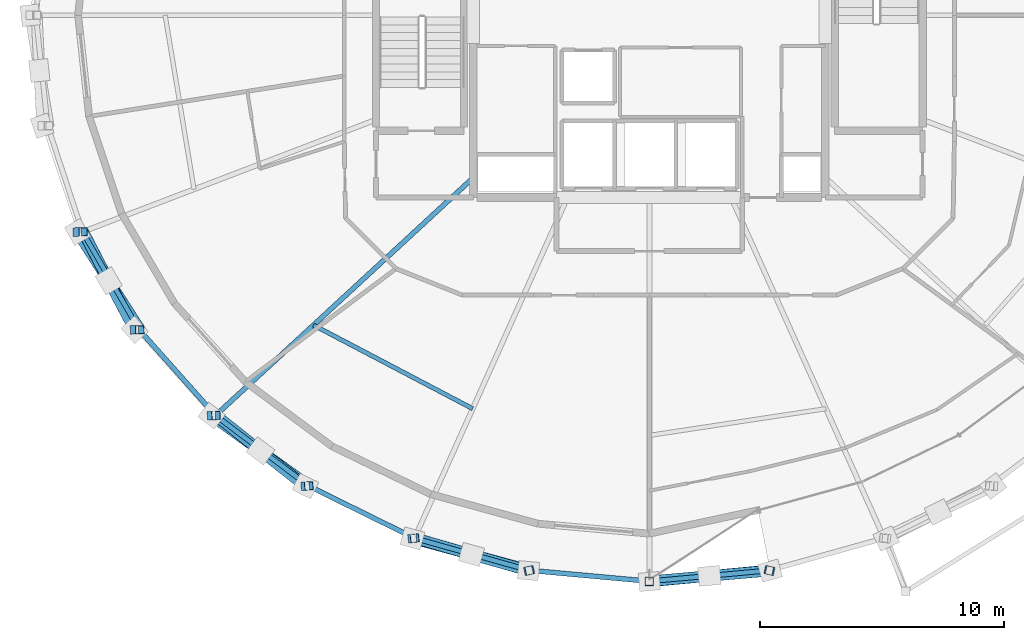
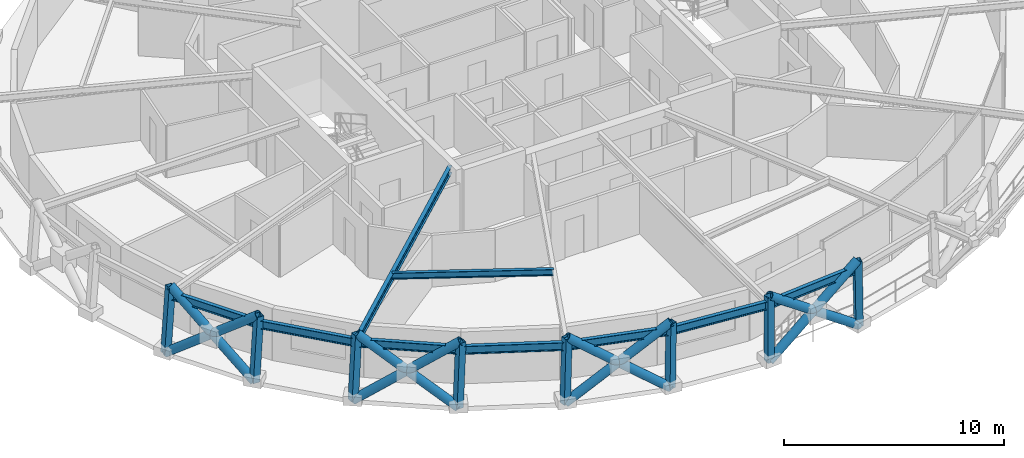
# One storey, part 1 of 18: 20 members, 9 beams.
"""IFC4 building model written with IfcOpenShell, lengths in metres."""

from ifc_helpers import new_model, si_unit, direction, frame, origin, origin_2d, place, context, subcontext, project, spatial, hollow_rectangle, hollow_circle, i_section, extrude, material, material_profile, profile_set, type_object, element, save


model = new_model("IFC4")

# Units and contexts
model_context = context("Model", 3, precision=1e-05, world=origin(), true_north=direction((0.0, 1.0)))
body_context = subcontext(model_context, "Body", "Model", "MODEL_VIEW")
ifc_project = project(units=[si_unit("LENGTHUNIT", "METRE"), si_unit("AREAUNIT", "SQUARE_METRE"), si_unit("VOLUMEUNIT", "CUBIC_METRE"), si_unit("PLANEANGLEUNIT", "RADIAN"), si_unit("MASSUNIT", "GRAM", prefix="KILO")], contexts=[model_context])

# Site, building, storey
site_placement = place(None, origin())
site = spatial("IfcSite", under=ifc_project, at=site_placement, CompositionType="ELEMENT")
building_placement = place(site_placement, origin())
building = spatial("IfcBuilding", under=site, at=building_placement, Name="Veldorina Hangang Commons", CompositionType="ELEMENT")
storey_placement = place(building_placement, frame((0.0, 0.0, 218.39990234375)))
storey = spatial("IfcBuildingStorey", under=building, at=storey_placement, Name="L56", CompositionType="ELEMENT", Elevation=218.39990234375)

# Beams
ifc_material = material(Name="Steel SM355-TMC", Category="steel")
ifc_material_profile_1 = material_profile(ifc_material, i_section(OverallWidth=0.199951171875, OverallDepth=0.39990234375, WebThickness=0.008056640625, FlangeThickness=0.012939453125, FilletRadius=0.012939453125, at=origin_2d()), Name="H-400x200x8x13")
ifc_profile_set_1 = profile_set([ifc_material_profile_1], Name="Steel SM355-TMC")
beam_type_1 = type_object("IfcBeamType", Name="BM-FG400", PredefinedType="BEAM", material=ifc_profile_set_1)
beam_1_placement = place(storey_placement, frame((24.800048828125, 17.357421875, 3.16015625), z_axis=(-0.734994512793, -0.678073053707, 0.0), x_axis=(0.678073053707, -0.734994512793, 0.0)))
element("IfcBeam", 1, at=beam_1_placement, inside=storey, type_object=beam_type_1, Name="L56 radial floor girder 11", PredefinedType="BEAM", context=body_context, shape_type="SweptSolid", body=[
    extrude(i_section(OverallWidth=0.199951171875, OverallDepth=0.39990234375, WebThickness=0.008056640625, FlangeThickness=0.012939453125, FilletRadius=0.012939453125, at=origin_2d()), origin(), (0.0, 0.0, 1.0), 14.351318359375),
])
ifc_material_profile_2 = material_profile(ifc_material, i_section(OverallWidth=0.175048828125, OverallDepth=0.35009765625, WebThickness=0.007080078125, FlangeThickness=0.010986328125, FilletRadius=0.012939453125, at=origin_2d()), Name="H-350x175x7x11")
ifc_profile_set_2 = profile_set([ifc_material_profile_2], Name="Steel SM355-TMC")
beam_type_2 = type_object("IfcBeamType", Name="BM-JST350", PredefinedType="JOIST", material=ifc_profile_set_2)
beam_2_placement = place(storey_placement, frame((18.26025390625, 11.32421875, 3.18505859375), z_axis=(0.885418048855, -0.464795523603, 0.0), x_axis=(0.464795523603, 0.885418048855, 0.0)))
element("IfcBeam", 2, at=beam_2_placement, inside=storey, type_object=beam_type_2, Name="L56 secondary floor joist 11", PredefinedType="JOIST", context=body_context, shape_type="SweptSolid", body=[
    extrude(i_section(OverallWidth=0.175048828125, OverallDepth=0.35009765625, WebThickness=0.007080078125, FlangeThickness=0.010986328125, FilletRadius=0.012939453125, at=origin_2d()), origin(), (0.0, 0.0, 1.0), 7.3564453125),
])
ifc_material_profile_3 = material_profile(ifc_material, i_section(OverallWidth=0.199951171875, OverallDepth=0.449951171875, WebThickness=0.009033203125, FlangeThickness=0.013916015625, FilletRadius=0.01611328125, at=origin_2d()), Name="H-450x200x9x14")
ifc_profile_set_3 = profile_set([ifc_material_profile_3], Name="Steel SM355-TMC")
beam_type_3 = type_object("IfcBeamType", Name="BM-RB450", PredefinedType="BEAM", material=ifc_profile_set_3)
beam_3_placement = place(storey_placement, frame((8.81103515625, 15.138671875, 3.135009765625), z_axis=(0.501306631992, -0.865269704035, 0.0), x_axis=(0.865269704035, 0.501306631992, 0.0)))
element("IfcBeam", 3, at=beam_3_placement, inside=storey, type_object=beam_type_3, Name="L56 perimeter hoop ring beam 18", PredefinedType="BEAM", context=body_context, shape_type="SweptSolid", body=[
    extrude(i_section(OverallWidth=0.199951171875, OverallDepth=0.449951171875, WebThickness=0.009033203125, FlangeThickness=0.013916015625, FilletRadius=0.01611328125, at=origin_2d()), origin(), (0.0, 0.0, 1.0), 4.626953125),
])
beam_4_placement = place(storey_placement, frame((11.130615234375, 11.135009765625, 3.135009765625), z_axis=(0.664650971926, -0.747153990498, 0.0), x_axis=(0.747153990498, 0.664650971926, 0.0)))
element("IfcBeam", 4, at=beam_4_placement, inside=storey, type_object=beam_type_3, Name="L56 perimeter hoop ring beam 19", PredefinedType="BEAM", context=body_context, shape_type="SweptSolid", body=[
    extrude(i_section(OverallWidth=0.199951171875, OverallDepth=0.449951171875, WebThickness=0.009033203125, FlangeThickness=0.013916015625, FilletRadius=0.01611328125, at=origin_2d()), origin(), (0.0, 0.0, 1.0), 4.6962890625),
])
beam_5_placement = place(storey_placement, frame((14.251953125, 7.626220703125, 3.135009765625), z_axis=(0.79724663066, -0.603653716879, 0.0), x_axis=(0.603653716879, 0.79724663066, 0.0)))
element("IfcBeam", 5, at=beam_5_placement, inside=storey, type_object=beam_type_3, Name="L56 perimeter hoop ring beam 20", PredefinedType="BEAM", context=body_context, shape_type="SweptSolid", body=[
    extrude(i_section(OverallWidth=0.199951171875, OverallDepth=0.449951171875, WebThickness=0.009033203125, FlangeThickness=0.013916015625, FilletRadius=0.01611328125, at=origin_2d()), origin(), (0.0, 0.0, 1.0), 4.770751953125),
])
beam_6_placement = place(storey_placement, frame((18.055419921875, 4.746337890625, 3.135009765625), z_axis=(0.896896095875, -0.442241329146, 0.0), x_axis=(0.442241329146, 0.896896095875, 0.0)))
element("IfcBeam", 6, at=beam_6_placement, inside=storey, type_object=beam_type_3, Name="L56 perimeter hoop ring beam 21", PredefinedType="BEAM", context=body_context, shape_type="SweptSolid", body=[
    extrude(i_section(OverallWidth=0.199951171875, OverallDepth=0.449951171875, WebThickness=0.009033203125, FlangeThickness=0.013916015625, FilletRadius=0.01611328125, at=origin_2d()), origin(), (0.0, 0.0, 1.0), 4.838134765625),
])
beam_7_placement = place(storey_placement, frame((22.394775390625, 2.606689453125, 3.135009765625), z_axis=(0.962994608435, -0.269520656211, 0.0), x_axis=(0.269520656211, 0.962994608435, 0.0)))
element("IfcBeam", 7, at=beam_7_placement, inside=storey, type_object=beam_type_3, Name="L56 perimeter hoop ring beam 22", PredefinedType="BEAM", context=body_context, shape_type="SweptSolid", body=[
    extrude(i_section(OverallWidth=0.199951171875, OverallDepth=0.449951171875, WebThickness=0.009033203125, FlangeThickness=0.013916015625, FilletRadius=0.01611328125, at=origin_2d()), origin(), (0.0, 0.0, 1.0), 4.8896484375),
])
for number, where, z_axis, x_axis, name in (
    (8, (27.103515625, 1.288818359375, 3.135009765625), (0.995898902714, -0.090473065454, 0.0), (0.090473065454, 0.995898902714, 0.0), "L56 perimeter hoop ring beam 23"),
    (9, (32.0, 0.843994140625, 3.135009765625), (0.995898902714, 0.090473065454, 0.0), (-0.090473065454, 0.995898902714, 0.0), "L56 perimeter hoop ring beam 24"),
):
    element("IfcBeam", number, at=place(storey_placement, frame(where, z_axis=z_axis, x_axis=x_axis)), inside=storey, type_object=beam_type_3, Name=name, PredefinedType="BEAM", context=body_context, shape_type="SweptSolid", body=[
        extrude(i_section(OverallWidth=0.199951171875, OverallDepth=0.449951171875, WebThickness=0.009033203125, FlangeThickness=0.013916015625, FilletRadius=0.01611328125, at=origin_2d()), origin(), (0.0, 0.0, 1.0), 4.916748046875),
    ])

# Members
ifc_material_profile_4 = material_profile(ifc_material, hollow_circle(Radius=0.22509765625, WallThickness=0.02197265625, at=origin_2d()), Name="CHS-450x22")
ifc_profile_set_4 = profile_set([ifc_material_profile_4], Name="Steel SM355-TMC")
member_type_1 = type_object("IfcMemberType", Name="DG-CHS450", PredefinedType="BRACE", material=ifc_profile_set_4)
member_1_placement = place(storey_placement, frame((8.599365234375, 15.134521484375, 0.0), z_axis=(0.42955298396, -0.671107390184, 0.604234312838), x_axis=(0.842246183169, 0.539093096725, 0.0)))
element("IfcMember", 10, at=member_1_placement, inside=storey, type_object=member_type_1, Name="L56 continuous perimeter diagrid brace 18", PredefinedType="BRACE", context=body_context, shape_type="SweptSolid", body=[
    extrude(hollow_circle(Radius=0.22509765625, WallThickness=0.02197265625, at=origin_2d()), origin(), (0.0, 0.0, 1.0), 5.9580078125),
])
member_2_placement = place(storey_placement, frame((10.93994140625, 11.12939453125, 0.0), z_axis=(-0.36573154919, 0.691744500346, 0.622679677015), x_axis=(-0.884044685648, -0.467402389572, 0.0)))
element("IfcMember", 11, at=member_2_placement, inside=storey, type_object=member_type_1, Name="L56 split perimeter diagrid lower brace 19", PredefinedType="BRACE", context=body_context, shape_type="SweptSolid", body=[
    extrude(hollow_circle(Radius=0.22509765625, WallThickness=0.02197265625, at=origin_2d()), origin(), (0.0, 0.0, 1.0), 2.89501953125),
])
member_3_placement = place(storey_placement, frame((9.881103515625, 13.132080078125, 1.802734375), z_axis=(-0.359682287222, 0.695098280032, 0.62246849989), x_axis=(-0.888140102066, -0.459572800655, 0.0)))
element("IfcMember", 12, at=member_3_placement, inside=storey, type_object=member_type_1, Name="L56 split perimeter diagrid upper brace 19", PredefinedType="BRACE", context=body_context, shape_type="SweptSolid", body=[
    extrude(hollow_circle(Radius=0.22509765625, WallThickness=0.02197265625, at=origin_2d()), origin(), (0.0, 0.0, 1.0), 2.887451171875),
])
member_4_placement = place(storey_placement, frame((14.08984375, 7.61865234375, 0.0), z_axis=(0.654363226013, -0.471457458164, 0.59121623251), x_axis=(0.584562685042, 0.811348548564, 0.0)))
element("IfcMember", 13, at=member_4_placement, inside=storey, type_object=member_type_1, Name="L56 continuous perimeter diagrid brace 20", PredefinedType="BRACE", context=body_context, shape_type="SweptSolid", body=[
    extrude(hollow_circle(Radius=0.22509765625, WallThickness=0.02197265625, at=origin_2d()), origin(), (0.0, 0.0, 1.0), 6.08935546875),
])
member_5_placement = place(storey_placement, frame((17.927978515625, 4.737548828125, 0.0), z_axis=(-0.622749004886, 0.487897222229, 0.611669827157), x_axis=(-0.616722424243, -0.787180698084, 0.0)))
element("IfcMember", 14, at=member_5_placement, inside=storey, type_object=member_type_1, Name="L56 split perimeter diagrid lower brace 21", PredefinedType="BRACE", context=body_context, shape_type="SweptSolid", body=[
    extrude(hollow_circle(Radius=0.22509765625, WallThickness=0.02197265625, at=origin_2d()), origin(), (0.0, 0.0, 1.0), 2.952880859375),
])
member_6_placement = place(storey_placement, frame((16.089111328125, 6.17822265625, 1.80615234375), z_axis=(-0.618106666403, 0.493936052928, 0.611531948933), x_axis=(-0.624271651176, -0.78120733838, 0.0)))
element("IfcMember", 15, at=member_6_placement, inside=storey, type_object=member_type_1, Name="L56 split perimeter diagrid upper brace 21", PredefinedType="BRACE", context=body_context, shape_type="SweptSolid", body=[
    extrude(hollow_circle(Radius=0.22509765625, WallThickness=0.02197265625, at=origin_2d()), origin(), (0.0, 0.0, 1.0), 2.93359375),
])
member_7_placement = place(storey_placement, frame((22.30712890625, 2.5966796875, 0.0), z_axis=(0.781866924873, -0.212665577949, 0.586052441121), x_axis=(0.26246159662, 0.964942438853, 0.0)))
element("IfcMember", 16, at=member_7_placement, inside=storey, type_object=member_type_1, Name="L56 continuous perimeter diagrid brace 22", PredefinedType="BRACE", context=body_context, shape_type="SweptSolid", body=[
    extrude(hollow_circle(Radius=0.22509765625, WallThickness=0.02197265625, at=origin_2d()), origin(), (0.0, 0.0, 1.0), 6.14306640625),
])
member_8_placement = place(storey_placement, frame((27.05859375, 1.2783203125, 0.0), z_axis=(-0.77185154551, 0.218548902842, 0.597060774763), x_axis=(-0.272438283591, -0.962173259675, 0.0)))
element("IfcMember", 17, at=member_8_placement, inside=storey, type_object=member_type_1, Name="L56 split perimeter diagrid lower brace 23", PredefinedType="BRACE", context=body_context, shape_type="SweptSolid", body=[
    extrude(hollow_circle(Radius=0.22509765625, WallThickness=0.02197265625, at=origin_2d()), origin(), (0.0, 0.0, 1.0), 3.029541015625),
])
member_9_placement = place(storey_placement, frame((24.72021484375, 1.9404296875, 1.808837890625), z_axis=(-0.770756348291, 0.222471268605, 0.597026956019), x_axis=(-0.277319117856, -0.960777865519, 0.0)))
element("IfcMember", 18, at=member_9_placement, inside=storey, type_object=member_type_1, Name="L56 split perimeter diagrid upper brace 23", PredefinedType="BRACE", context=body_context, shape_type="SweptSolid", body=[
    extrude(hollow_circle(Radius=0.22509765625, WallThickness=0.02197265625, at=origin_2d()), origin(), (0.0, 0.0, 1.0), 3.000244140625),
])
member_10_placement = place(storey_placement, frame((32.0, 0.833251953125, 0.0), z_axis=(0.803018897645, 0.075053740895, 0.591208580792), x_axis=(-0.093058897287, 0.995660605646, 0.0)))
element("IfcMember", 19, at=member_10_placement, inside=storey, type_object=member_type_1, Name="L56 continuous perimeter diagrid brace 24", PredefinedType="BRACE", context=body_context, shape_type="SweptSolid", body=[
    extrude(hollow_circle(Radius=0.22509765625, WallThickness=0.02197265625, at=origin_2d()), origin(), (0.0, 0.0, 1.0), 6.08935546875),
])
member_11_placement = place(storey_placement, frame((36.94140625, 1.2783203125, 0.0), z_axis=(-0.806287816389, -0.069905225013, 0.587378256882), x_axis=(0.086376055942, -0.996262604417, 0.0)))
element("IfcMember", 20, at=member_11_placement, inside=storey, type_object=member_type_1, Name="L56 split perimeter diagrid lower brace 25", PredefinedType="BRACE", context=body_context, shape_type="SweptSolid", body=[
    extrude(hollow_circle(Radius=0.22509765625, WallThickness=0.02197265625, at=origin_2d()), origin(), (0.0, 0.0, 1.0), 3.080322265625),
])
member_12_placement = place(storey_placement, frame((34.457763671875, 1.06298828125, 1.809326171875), z_axis=(-0.806158569902, -0.071350679029, 0.58738185261), x_axis=(0.088162367195, -0.996106117344, 0.0)))
element("IfcMember", 21, at=member_12_placement, inside=storey, type_object=member_type_1, Name="L56 split perimeter diagrid upper brace 25", PredefinedType="BRACE", context=body_context, shape_type="SweptSolid", body=[
    extrude(hollow_circle(Radius=0.22509765625, WallThickness=0.02197265625, at=origin_2d()), origin(), (0.0, 0.0, 1.0), 3.048828125),
])
ifc_material_profile_5 = material_profile(ifc_material, hollow_rectangle(XDim=0.35009765625, YDim=0.35009765625, WallThickness=0.01611328125, at=origin_2d()), Name="SHS-350x350x16")
ifc_profile_set_5 = profile_set([ifc_material_profile_5], Name="Steel SM355-TMC")
member_type_2 = type_object("IfcMemberType", Name="STR-SHS350", PredefinedType="STRUT", material=ifc_profile_set_5)
member_13_placement = place(storey_placement, frame((8.599365234375, 15.134521484375, 0.0), z_axis=(0.067390137599, 0.001285554834, 0.997725872524), x_axis=(-0.019072835182, 0.999818096935, 0.0)))
element("IfcMember", 22, at=member_13_placement, inside=storey, type_object=member_type_2, Name="L56 perimeter ring node post 18", PredefinedType="STRUT", context=body_context, shape_type="SweptSolid", body=[
    extrude(hollow_rectangle(XDim=0.35009765625, YDim=0.35009765625, WallThickness=0.01611328125, at=origin_2d()), origin(), (0.0, 0.0, 1.0), 3.6083984375),
])
member_14_placement = place(storey_placement, frame((10.93994140625, 11.12939453125, 0.0), z_axis=(0.060650280349, 0.001827631216, 0.998157404049), x_axis=(-0.03012025627, 0.999546282151, 0.0)))
element("IfcMember", 23, at=member_14_placement, inside=storey, type_object=member_type_2, Name="L56 perimeter ring node post 19", PredefinedType="STRUT", context=body_context, shape_type="SweptSolid", body=[
    extrude(hollow_rectangle(XDim=0.35009765625, YDim=0.35009765625, WallThickness=0.01611328125, at=origin_2d()), origin(), (0.0, 0.0, 1.0), 3.606689453125),
])
member_15_placement = place(storey_placement, frame((14.08984375, 7.61865234375, 0.0), z_axis=(0.051606029266, 0.002370355675, 0.998664708076), x_axis=(-0.045883383338, 0.998946802955, 0.0)))
element("IfcMember", 24, at=member_15_placement, inside=storey, type_object=member_type_2, Name="L56 perimeter ring node post 20", PredefinedType="STRUT", context=body_context, shape_type="SweptSolid", body=[
    extrude(hollow_rectangle(XDim=0.35009765625, YDim=0.35009765625, WallThickness=0.01611328125, at=origin_2d()), origin(), (0.0, 0.0, 1.0), 3.60498046875),
])
member_16_placement = place(storey_placement, frame((17.927978515625, 4.737548828125, 0.0), z_axis=(0.040655195292, 0.00284586367, 0.999169182949), x_axis=(-0.0698291277, 0.997558967142, 0.0)))
element("IfcMember", 25, at=member_16_placement, inside=storey, type_object=member_type_2, Name="L56 perimeter ring node post 21", PredefinedType="STRUT", context=body_context, shape_type="SweptSolid", body=[
    extrude(hollow_rectangle(XDim=0.35009765625, YDim=0.35009765625, WallThickness=0.01611328125, at=origin_2d()), origin(), (0.0, 0.0, 1.0), 3.60302734375),
])
member_17_placement = place(storey_placement, frame((22.30712890625, 2.5966796875, 0.0), z_axis=(0.027928745542, 0.003118257997, 0.999605052828), x_axis=(-0.110961016846, 0.993824759573, 0.0)))
element("IfcMember", 26, at=member_17_placement, inside=storey, type_object=member_type_2, Name="L56 perimeter ring node post 22", PredefinedType="STRUT", context=body_context, shape_type="SweptSolid", body=[
    extrude(hollow_rectangle(XDim=0.35009765625, YDim=0.35009765625, WallThickness=0.01611328125, at=origin_2d()), origin(), (0.0, 0.0, 1.0), 3.6015625),
])
member_18_placement = place(storey_placement, frame((27.05859375, 1.2783203125, 0.0), z_axis=(0.014307421539, 0.003322576566, 0.999892123268), x_axis=(-0.22620792836, 0.97407903845, 0.0)))
element("IfcMember", 27, at=member_18_placement, inside=storey, type_object=member_type_2, Name="L56 perimeter ring node post 23", PredefinedType="STRUT", context=body_context, shape_type="SweptSolid", body=[
    extrude(hollow_rectangle(XDim=0.35009765625, YDim=0.35009765625, WallThickness=0.01611328125, at=origin_2d()), origin(), (0.0, 0.0, 1.0), 3.6005859375),
])
member_19_placement = place(storey_placement, frame((32.0, 0.833251953125, 0.0), z_axis=(0.0, 0.003390730542, 0.999994251457), x_axis=(-1.0, 0.0, 0.0)))
element("IfcMember", 28, at=member_19_placement, inside=storey, type_object=member_type_2, Name="L56 perimeter ring node post 24", PredefinedType="STRUT", context=body_context, shape_type="SweptSolid", body=[
    extrude(hollow_rectangle(XDim=0.35009765625, YDim=0.35009765625, WallThickness=0.01611328125, at=origin_2d()), origin(), (0.0, 0.0, 1.0), 3.60009765625),
])
member_20_placement = place(storey_placement, frame((36.94140625, 1.2783203125, 0.0), z_axis=(-0.014307421539, 0.003322576566, 0.999892123268), x_axis=(-0.22620792836, -0.97407903845, 0.0)))
element("IfcMember", 29, at=member_20_placement, inside=storey, type_object=member_type_2, Name="L56 perimeter ring node post 25", PredefinedType="STRUT", context=body_context, shape_type="SweptSolid", body=[
    extrude(hollow_rectangle(XDim=0.35009765625, YDim=0.35009765625, WallThickness=0.01611328125, at=origin_2d()), origin(), (0.0, 0.0, 1.0), 3.6005859375),
])

save(model, "model.ifc")
